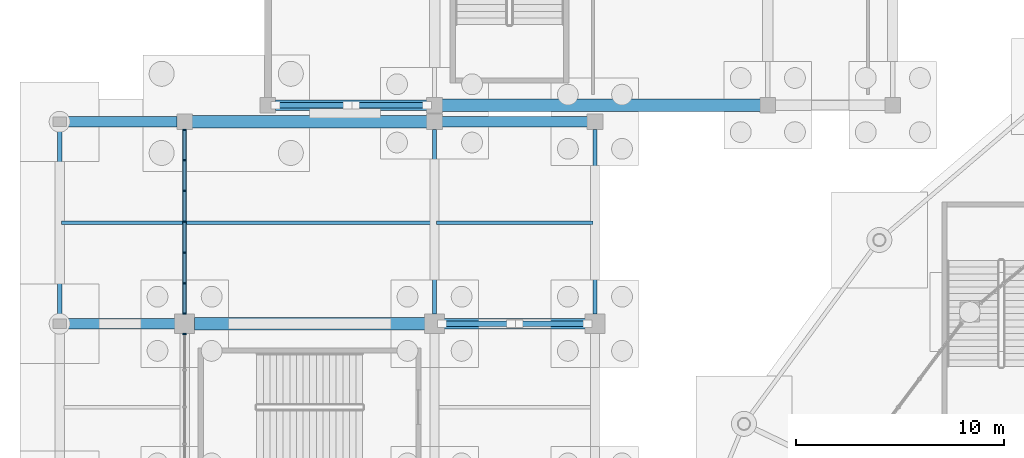
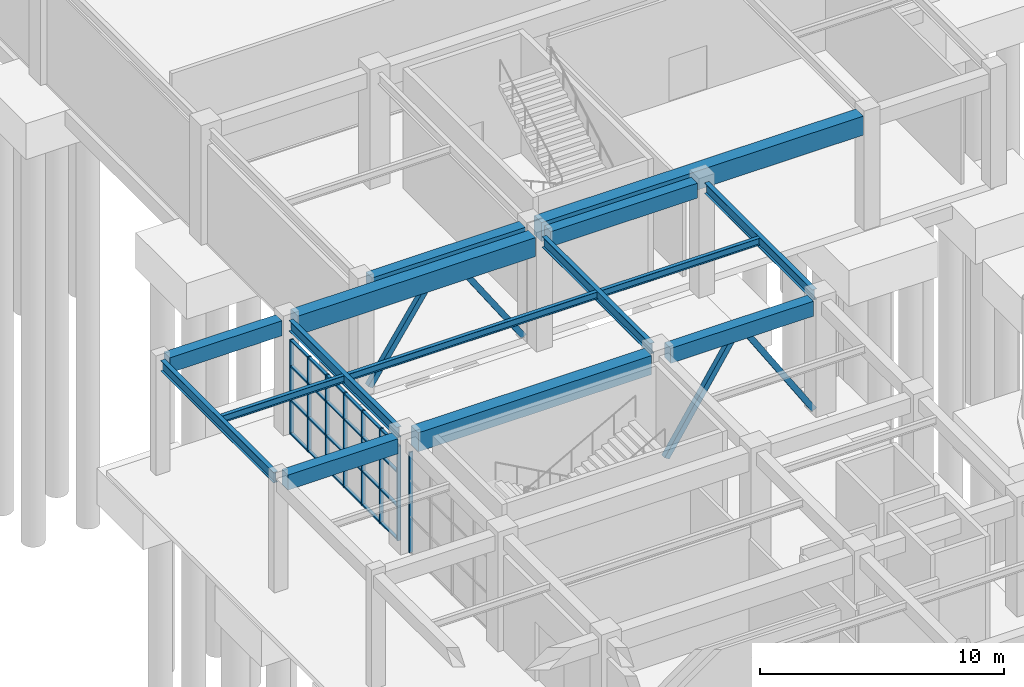
# One storey, part 41 of 121: 36 members, 15 beams, 2 elements without a shape of their own.
"""IFC4 building model written with IfcOpenShell, lengths in metres."""

from ifc_helpers import new_model, si_unit, direction, frame, origin, origin_2d, place, context, subcontext, project, spatial, rectangle, hollow_rectangle, i_section, extrude, material, material_profile, profile_set, type_object, element, aggregate, save


model = new_model("IFC4")

# Units and contexts
model_context = context("Model", 3, precision=1e-05, world=origin(), true_north=direction((0.0, 1.0)))
body_context = subcontext(model_context, "Body", "Model", "MODEL_VIEW")
ifc_project = project(units=[si_unit("LENGTHUNIT", "METRE"), si_unit("AREAUNIT", "SQUARE_METRE"), si_unit("VOLUMEUNIT", "CUBIC_METRE"), si_unit("PLANEANGLEUNIT", "RADIAN"), si_unit("MASSUNIT", "GRAM", prefix="KILO")], contexts=[model_context])

# Site, building, storey
site_placement = place(None, origin())
site = spatial("IfcSite", under=ifc_project, at=site_placement, CompositionType="ELEMENT")
building_placement = place(site_placement, origin())
building = spatial("IfcBuilding", under=site, at=building_placement, Name="Cuetzalor Civic Arena", CompositionType="ELEMENT")
storey_placement = place(building_placement, origin())
storey = spatial("IfcBuildingStorey", under=building, at=storey_placement, Name="L00", CompositionType="ELEMENT", Elevation=0.0)

# Beams
ifc_material_1 = material(Name="Concrete C40/50", Category="concrete")
ifc_material_profile_1 = material_profile(ifc_material_1, rectangle(XDim=0.5, YDim=0.75, at=origin_2d()), Name="RC 500x750")
ifc_profile_set_1 = profile_set([ifc_material_profile_1], Name="Concrete C40/50")
beam_type_1 = type_object("IfcBeamType", Name="ConcreteFrameBeam_500x750", PredefinedType="BEAM", material=ifc_profile_set_1)
beam_1_placement = place(storey_placement, frame((-81.68505859375, 25.0, 5.324951171875), z_axis=(1.0, 0.0, 0.0), x_axis=(0.0, 1.0, 0.0)))
element("IfcBeam", 1, at=beam_1_placement, inside=storey, type_object=beam_type_1, Name="Frame Girder V4W-L00-X0087", PredefinedType="BEAM", context=body_context, shape_type="SweptSolid", body=[
    extrude(rectangle(XDim=0.5, YDim=0.75, at=origin_2d()), origin(), (0.0, 0.0, 1.0), 5.219970703125),
])
beam_2_placement = place(storey_placement, frame((-63.534912109375, 25.0, 5.324951171875), z_axis=(1.0, 0.0, 0.0), x_axis=(0.0, 1.0, 0.0)))
element("IfcBeam", 2, at=beam_2_placement, inside=storey, type_object=beam_type_1, Name="Frame Girder V4W-L00-X0089", PredefinedType="BEAM", context=body_context, shape_type="SweptSolid", body=[
    extrude(rectangle(XDim=0.5, YDim=0.75, at=origin_2d()), origin(), (0.0, 0.0, 1.0), 6.77001953125),
])
beam_3_placement = place(storey_placement, frame((-81.68505859375, 34.699951171875, 5.324951171875), z_axis=(1.0, 0.0, 0.0), x_axis=(0.0, 1.0, 0.0)))
element("IfcBeam", 3, at=beam_3_placement, inside=storey, type_object=beam_type_1, Name="Frame Girder V4W-L00-X0090", PredefinedType="BEAM", context=body_context, shape_type="SweptSolid", body=[
    extrude(rectangle(XDim=0.5, YDim=0.75, at=origin_2d()), origin(), (0.0, 0.0, 1.0), 5.320068359375),
])
beam_4_placement = place(storey_placement, frame((-63.635009765625, 34.699951171875, 5.324951171875), z_axis=(1.0, 0.0, 0.0), x_axis=(0.0, 1.0, 0.0)))
element("IfcBeam", 4, at=beam_4_placement, inside=storey, type_object=beam_type_1, Name="Frame Girder V4W-L00-X0092", PredefinedType="BEAM", context=body_context, shape_type="SweptSolid", body=[
    extrude(rectangle(XDim=0.5, YDim=0.75, at=origin_2d()), origin(), (0.0, 0.0, 1.0), 6.969970703125),
])
beam_5_placement = place(storey_placement, frame((-71.635009765625, 35.5, 5.324951171875), z_axis=(1.0, 0.0, 0.0), x_axis=(0.0, 1.0, 0.0)))
element("IfcBeam", 5, at=beam_5_placement, inside=storey, type_object=beam_type_1, Name="Frame Girder V5-L00-X0213", PredefinedType="BEAM", context=body_context, shape_type="SweptSolid", body=[
    extrude(rectangle(XDim=0.5, YDim=0.75, at=origin_2d()), origin(), (0.0, 0.0, 1.0), 7.27001953125),
])
ifc_material_2 = material(Name="Concrete C40/50", Category="concrete")
ifc_material_profile_2 = material_profile(ifc_material_2, rectangle(XDim=0.60009765625, YDim=0.949951171875, at=origin_2d()), Name="RC 600x950")
ifc_profile_set_2 = profile_set([ifc_material_profile_2], Name="Concrete C40/50")
beam_type_2 = type_object("IfcBeamType", Name="ConcreteFrameBeam_600x950", PredefinedType="BEAM", material=ifc_profile_set_2)
beam_6_placement = place(storey_placement, frame((-75.534912109375, 25.0, 5.22509765625), z_axis=(1.0, 0.0, 0.0), x_axis=(0.0, 1.0, 0.0)))
element("IfcBeam", 6, at=beam_6_placement, inside=storey, type_object=beam_type_2, Name="Frame Girder V4W-L00-X0088", PredefinedType="BEAM", context=body_context, shape_type="SweptSolid", body=[
    extrude(rectangle(XDim=0.60009765625, YDim=0.949951171875, at=origin_2d()), origin(), (0.0, 0.0, 1.0), 11.06982421875),
])
beam_7_placement = place(storey_placement, frame((-75.635009765625, 34.699951171875, 5.22509765625), z_axis=(1.0, 0.0, 0.0), x_axis=(0.0, 1.0, 0.0)))
element("IfcBeam", 7, at=beam_7_placement, inside=storey, type_object=beam_type_2, Name="Frame Girder V4W-L00-X0091", PredefinedType="BEAM", context=body_context, shape_type="SweptSolid", body=[
    extrude(rectangle(XDim=0.60009765625, YDim=0.949951171875, at=origin_2d()), origin(), (0.0, 0.0, 1.0), 11.27001953125),
])
beam_8_placement = place(storey_placement, frame((-63.635009765625, 35.5, 5.22509765625), z_axis=(1.0, 0.0, 0.0), x_axis=(0.0, 1.0, 0.0)))
element("IfcBeam", 8, at=beam_8_placement, inside=storey, type_object=beam_type_2, Name="Frame Girder V5-L00-X0214", PredefinedType="BEAM", context=body_context, shape_type="SweptSolid", body=[
    extrude(rectangle(XDim=0.60009765625, YDim=0.949951171875, at=origin_2d()), origin(), (0.0, 0.0, 1.0), 15.27001953125),
])

# Curtain wall, member
ifc_material_3 = material(Name="Anodised dark bronze aluminium and low-E solar glass", Category="aluminium")
curtain_wall_type_1 = type_object("IfcCurtainWallType", Name="UnitisedCW_7100x5050", PredefinedType="USERDEFINED", material=ifc_material_3)
curtain_wall_1_placement = place(storey_placement, origin())
curtain_wall_1 = element("IfcCurtainWall", 9, at=curtain_wall_1_placement, inside=storey, type_object=curtain_wall_type_1, Name="V4W Colonnade Curtain Wall L00-106", ObjectType="UNITISED CURTAIN WALL", PredefinedType="USERDEFINED")
ifc_material_4 = material(Name="Anodised dark bronze aluminium", Category="aluminium")
ifc_material_profile_3 = material_profile(ifc_material_4, rectangle(XDim=0.070068359375, YDim=0.179931640625, at=origin_2d()), Name="ALU MULLION 70x180")
ifc_profile_set_3 = profile_set([ifc_material_profile_3], Name="Anodised dark bronze aluminium")
member_type_1 = type_object("IfcMemberType", Name="CurtainWallMullion_65x180", PredefinedType="MULLION", material=ifc_profile_set_3)
member_1_placement = place(storey_placement, frame((-76.0, 24.508056640625, 0.0), z_axis=(0.0, 0.0, 1.0), x_axis=(0.0, 1.0, 0.0)))
member_1 = element("IfcMember", 10, at=member_1_placement, type_object=member_type_1, Name="CW-34 mullion 5", PredefinedType="MULLION", context=body_context, shape_type="SweptSolid", body=[
    extrude(rectangle(XDim=0.070068359375, YDim=0.179931640625, at=origin_2d()), origin(), (0.0, 0.0, 1.0), 5.0400390625),
])
aggregate(curtain_wall_1, [member_1])

# Curtain wall, members
ifc_material_5 = material(Name="Anodised dark bronze aluminium and low-E solar glass", Category="aluminium")
curtain_wall_type_2 = type_object("IfcCurtainWallType", Name="UnitisedCW_8900x4750", PredefinedType="USERDEFINED", material=ifc_material_5)
curtain_wall_2_placement = place(storey_placement, origin())
curtain_wall_2 = element("IfcCurtainWall", 11, at=curtain_wall_2_placement, inside=storey, type_object=curtain_wall_type_2, Name="V4W Colonnade Curtain Wall L00-107", ObjectType="UNITISED CURTAIN WALL", PredefinedType="USERDEFINED")
member_2_placement = place(storey_placement, frame((-76.0, 25.491943359375, 0.0), z_axis=(0.0, 0.0, 1.0), x_axis=(0.0, 1.0, 0.0)))
member_2 = element("IfcMember", 12, at=member_2_placement, type_object=member_type_1, Name="CW-35 mullion 1", PredefinedType="MULLION", context=body_context, shape_type="SweptSolid", body=[
    extrude(rectangle(XDim=0.070068359375, YDim=0.179931640625, at=origin_2d()), origin(), (0.0, 0.0, 1.0), 4.739990234375),
])
member_3_placement = place(storey_placement, frame((-76.0, 26.93798828125, 0.0), z_axis=(0.0, 0.0, 1.0), x_axis=(0.0, 1.0, 0.0)))
member_3 = element("IfcMember", 13, at=member_3_placement, type_object=member_type_1, Name="CW-35 mullion 2", PredefinedType="MULLION", context=body_context, shape_type="SweptSolid", body=[
    extrude(rectangle(XDim=0.070068359375, YDim=0.179931640625, at=origin_2d()), origin(), (0.0, 0.0, 1.0), 4.739990234375),
])
member_4_placement = place(storey_placement, frame((-76.0, 28.4189453125, 0.0), z_axis=(0.0, 0.0, 1.0), x_axis=(0.0, 1.0, 0.0)))
member_4 = element("IfcMember", 14, at=member_4_placement, type_object=member_type_1, Name="CW-35 mullion 3", PredefinedType="MULLION", context=body_context, shape_type="SweptSolid", body=[
    extrude(rectangle(XDim=0.070068359375, YDim=0.179931640625, at=origin_2d()), origin(), (0.0, 0.0, 1.0), 4.739990234375),
])
member_5_placement = place(storey_placement, frame((-76.0, 29.89990234375, 0.0), z_axis=(0.0, 0.0, 1.0), x_axis=(0.0, 1.0, 0.0)))
member_5 = element("IfcMember", 15, at=member_5_placement, type_object=member_type_1, Name="CW-35 mullion 4", PredefinedType="MULLION", context=body_context, shape_type="SweptSolid", body=[
    extrude(rectangle(XDim=0.070068359375, YDim=0.179931640625, at=origin_2d()), origin(), (0.0, 0.0, 1.0), 4.739990234375),
])
member_6_placement = place(storey_placement, frame((-76.0, 31.381103515625, 0.0), z_axis=(0.0, 0.0, 1.0), x_axis=(0.0, 1.0, 0.0)))
member_6 = element("IfcMember", 16, at=member_6_placement, type_object=member_type_1, Name="CW-35 mullion 5", PredefinedType="MULLION", context=body_context, shape_type="SweptSolid", body=[
    extrude(rectangle(XDim=0.070068359375, YDim=0.179931640625, at=origin_2d()), origin(), (0.0, 0.0, 1.0), 4.739990234375),
])
member_7_placement = place(storey_placement, frame((-76.0, 32.862060546875, 0.0), z_axis=(0.0, 0.0, 1.0), x_axis=(0.0, 1.0, 0.0)))
member_7 = element("IfcMember", 17, at=member_7_placement, type_object=member_type_1, Name="CW-35 mullion 6", PredefinedType="MULLION", context=body_context, shape_type="SweptSolid", body=[
    extrude(rectangle(XDim=0.070068359375, YDim=0.179931640625, at=origin_2d()), origin(), (0.0, 0.0, 1.0), 4.739990234375),
])
member_8_placement = place(storey_placement, frame((-76.0, 34.30810546875, 0.0), z_axis=(0.0, 0.0, 1.0), x_axis=(0.0, 1.0, 0.0)))
member_8 = element("IfcMember", 18, at=member_8_placement, type_object=member_type_1, Name="CW-35 mullion 7", PredefinedType="MULLION", context=body_context, shape_type="SweptSolid", body=[
    extrude(rectangle(XDim=0.070068359375, YDim=0.179931640625, at=origin_2d()), origin(), (0.0, 0.0, 1.0), 4.739990234375),
])
ifc_material_6 = material(Name="Anodised dark bronze aluminium", Category="aluminium")
ifc_material_profile_4 = material_profile(ifc_material_6, rectangle(XDim=0.139892578125, YDim=0.070068359375, at=origin_2d()), Name="ALU TRANSOM 70x140")
ifc_profile_set_4 = profile_set([ifc_material_profile_4], Name="Anodised dark bronze aluminium")
member_type_2 = type_object("IfcMemberType", Name="CurtainWallTransom_65x140", PredefinedType="USERDEFINED", material=ifc_profile_set_4)
member_9_placement = place(storey_placement, frame((-76.0, 25.527099609375, 0.034912109375), z_axis=(0.0, 1.0, 0.0), x_axis=(-1.0, 0.0, 0.0)))
member_9 = element("IfcMember", 19, at=member_9_placement, type_object=member_type_2, Name="CW-35 transom 1.1", ObjectType="TRANSOM", PredefinedType="USERDEFINED", context=body_context, shape_type="SweptSolid", body=[
    extrude(rectangle(XDim=0.139892578125, YDim=0.070068359375, at=origin_2d()), origin(), (0.0, 0.0, 1.0), 1.3759765625),
])
member_10_placement = place(storey_placement, frame((-76.0, 25.527099609375, 1.7060546875), z_axis=(0.0, 1.0, 0.0), x_axis=(-1.0, 0.0, 0.0)))
member_10 = element("IfcMember", 20, at=member_10_placement, type_object=member_type_2, Name="CW-35 transom 1.2", ObjectType="TRANSOM", PredefinedType="USERDEFINED", context=body_context, shape_type="SweptSolid", body=[
    extrude(rectangle(XDim=0.139892578125, YDim=0.070068359375, at=origin_2d()), origin(), (0.0, 0.0, 1.0), 1.3759765625),
])
member_11_placement = place(storey_placement, frame((-76.0, 25.527099609375, 3.4130859375), z_axis=(0.0, 1.0, 0.0), x_axis=(-1.0, 0.0, 0.0)))
member_11 = element("IfcMember", 21, at=member_11_placement, type_object=member_type_2, Name="CW-35 transom 1.3", ObjectType="TRANSOM", PredefinedType="USERDEFINED", context=body_context, shape_type="SweptSolid", body=[
    extrude(rectangle(XDim=0.139892578125, YDim=0.070068359375, at=origin_2d()), origin(), (0.0, 0.0, 1.0), 1.3759765625),
])
member_12_placement = place(storey_placement, frame((-76.0, 25.527099609375, 4.705078125), z_axis=(0.0, 1.0, 0.0), x_axis=(-1.0, 0.0, 0.0)))
member_12 = element("IfcMember", 22, at=member_12_placement, type_object=member_type_2, Name="CW-35 transom 1.4", ObjectType="TRANSOM", PredefinedType="USERDEFINED", context=body_context, shape_type="SweptSolid", body=[
    extrude(rectangle(XDim=0.139892578125, YDim=0.070068359375, at=origin_2d()), origin(), (0.0, 0.0, 1.0), 1.3759765625),
])
member_13_placement = place(storey_placement, frame((-76.0, 26.972900390625, 0.034912109375), z_axis=(0.0, 1.0, 0.0), x_axis=(-1.0, 0.0, 0.0)))
member_13 = element("IfcMember", 23, at=member_13_placement, type_object=member_type_2, Name="CW-35 transom 2.1", ObjectType="TRANSOM", PredefinedType="USERDEFINED", context=body_context, shape_type="SweptSolid", body=[
    extrude(rectangle(XDim=0.139892578125, YDim=0.070068359375, at=origin_2d()), origin(), (0.0, 0.0, 1.0), 1.4111328125),
])
member_14_placement = place(storey_placement, frame((-76.0, 26.972900390625, 1.7060546875), z_axis=(0.0, 1.0, 0.0), x_axis=(-1.0, 0.0, 0.0)))
member_14 = element("IfcMember", 24, at=member_14_placement, type_object=member_type_2, Name="CW-35 transom 2.2", ObjectType="TRANSOM", PredefinedType="USERDEFINED", context=body_context, shape_type="SweptSolid", body=[
    extrude(rectangle(XDim=0.139892578125, YDim=0.070068359375, at=origin_2d()), origin(), (0.0, 0.0, 1.0), 1.4111328125),
])
member_15_placement = place(storey_placement, frame((-76.0, 26.972900390625, 3.4130859375), z_axis=(0.0, 1.0, 0.0), x_axis=(-1.0, 0.0, 0.0)))
member_15 = element("IfcMember", 25, at=member_15_placement, type_object=member_type_2, Name="CW-35 transom 2.3", ObjectType="TRANSOM", PredefinedType="USERDEFINED", context=body_context, shape_type="SweptSolid", body=[
    extrude(rectangle(XDim=0.139892578125, YDim=0.070068359375, at=origin_2d()), origin(), (0.0, 0.0, 1.0), 1.4111328125),
])
member_16_placement = place(storey_placement, frame((-76.0, 26.972900390625, 4.705078125), z_axis=(0.0, 1.0, 0.0), x_axis=(-1.0, 0.0, 0.0)))
member_16 = element("IfcMember", 26, at=member_16_placement, type_object=member_type_2, Name="CW-35 transom 2.4", ObjectType="TRANSOM", PredefinedType="USERDEFINED", context=body_context, shape_type="SweptSolid", body=[
    extrude(rectangle(XDim=0.139892578125, YDim=0.070068359375, at=origin_2d()), origin(), (0.0, 0.0, 1.0), 1.4111328125),
])
member_17_placement = place(storey_placement, frame((-76.0, 28.4541015625, 0.034912109375), z_axis=(0.0, 1.0, 0.0), x_axis=(-1.0, 0.0, 0.0)))
member_17 = element("IfcMember", 27, at=member_17_placement, type_object=member_type_2, Name="CW-35 transom 3.1", ObjectType="TRANSOM", PredefinedType="USERDEFINED", context=body_context, shape_type="SweptSolid", body=[
    extrude(rectangle(XDim=0.139892578125, YDim=0.070068359375, at=origin_2d()), origin(), (0.0, 0.0, 1.0), 1.410888671875),
])
member_18_placement = place(storey_placement, frame((-76.0, 28.4541015625, 1.7060546875), z_axis=(0.0, 1.0, 0.0), x_axis=(-1.0, 0.0, 0.0)))
member_18 = element("IfcMember", 28, at=member_18_placement, type_object=member_type_2, Name="CW-35 transom 3.2", ObjectType="TRANSOM", PredefinedType="USERDEFINED", context=body_context, shape_type="SweptSolid", body=[
    extrude(rectangle(XDim=0.139892578125, YDim=0.070068359375, at=origin_2d()), origin(), (0.0, 0.0, 1.0), 1.410888671875),
])
member_19_placement = place(storey_placement, frame((-76.0, 28.4541015625, 3.4130859375), z_axis=(0.0, 1.0, 0.0), x_axis=(-1.0, 0.0, 0.0)))
member_19 = element("IfcMember", 29, at=member_19_placement, type_object=member_type_2, Name="CW-35 transom 3.3", ObjectType="TRANSOM", PredefinedType="USERDEFINED", context=body_context, shape_type="SweptSolid", body=[
    extrude(rectangle(XDim=0.139892578125, YDim=0.070068359375, at=origin_2d()), origin(), (0.0, 0.0, 1.0), 1.410888671875),
])
member_20_placement = place(storey_placement, frame((-76.0, 28.4541015625, 4.705078125), z_axis=(0.0, 1.0, 0.0), x_axis=(-1.0, 0.0, 0.0)))
member_20 = element("IfcMember", 30, at=member_20_placement, type_object=member_type_2, Name="CW-35 transom 3.4", ObjectType="TRANSOM", PredefinedType="USERDEFINED", context=body_context, shape_type="SweptSolid", body=[
    extrude(rectangle(XDim=0.139892578125, YDim=0.070068359375, at=origin_2d()), origin(), (0.0, 0.0, 1.0), 1.410888671875),
])
member_21_placement = place(storey_placement, frame((-76.0, 29.93505859375, 0.034912109375), z_axis=(0.0, 1.0, 0.0), x_axis=(-1.0, 0.0, 0.0)))
member_21 = element("IfcMember", 31, at=member_21_placement, type_object=member_type_2, Name="CW-35 transom 4.1", ObjectType="TRANSOM", PredefinedType="USERDEFINED", context=body_context, shape_type="SweptSolid", body=[
    extrude(rectangle(XDim=0.139892578125, YDim=0.070068359375, at=origin_2d()), origin(), (0.0, 0.0, 1.0), 1.410888671875),
])
member_22_placement = place(storey_placement, frame((-76.0, 29.93505859375, 1.7060546875), z_axis=(0.0, 1.0, 0.0), x_axis=(-1.0, 0.0, 0.0)))
member_22 = element("IfcMember", 32, at=member_22_placement, type_object=member_type_2, Name="CW-35 transom 4.2", ObjectType="TRANSOM", PredefinedType="USERDEFINED", context=body_context, shape_type="SweptSolid", body=[
    extrude(rectangle(XDim=0.139892578125, YDim=0.070068359375, at=origin_2d()), origin(), (0.0, 0.0, 1.0), 1.410888671875),
])
member_23_placement = place(storey_placement, frame((-76.0, 29.93505859375, 3.4130859375), z_axis=(0.0, 1.0, 0.0), x_axis=(-1.0, 0.0, 0.0)))
member_23 = element("IfcMember", 33, at=member_23_placement, type_object=member_type_2, Name="CW-35 transom 4.3", ObjectType="TRANSOM", PredefinedType="USERDEFINED", context=body_context, shape_type="SweptSolid", body=[
    extrude(rectangle(XDim=0.139892578125, YDim=0.070068359375, at=origin_2d()), origin(), (0.0, 0.0, 1.0), 1.410888671875),
])
member_24_placement = place(storey_placement, frame((-76.0, 29.93505859375, 4.705078125), z_axis=(0.0, 1.0, 0.0), x_axis=(-1.0, 0.0, 0.0)))
member_24 = element("IfcMember", 34, at=member_24_placement, type_object=member_type_2, Name="CW-35 transom 4.4", ObjectType="TRANSOM", PredefinedType="USERDEFINED", context=body_context, shape_type="SweptSolid", body=[
    extrude(rectangle(XDim=0.139892578125, YDim=0.070068359375, at=origin_2d()), origin(), (0.0, 0.0, 1.0), 1.410888671875),
])
member_25_placement = place(storey_placement, frame((-76.0, 31.416015625, 0.034912109375), z_axis=(0.0, 1.0, 0.0), x_axis=(-1.0, 0.0, 0.0)))
member_25 = element("IfcMember", 35, at=member_25_placement, type_object=member_type_2, Name="CW-35 transom 5.1", ObjectType="TRANSOM", PredefinedType="USERDEFINED", context=body_context, shape_type="SweptSolid", body=[
    extrude(rectangle(XDim=0.139892578125, YDim=0.070068359375, at=origin_2d()), origin(), (0.0, 0.0, 1.0), 1.410888671875),
])
member_26_placement = place(storey_placement, frame((-76.0, 31.416015625, 1.7060546875), z_axis=(0.0, 1.0, 0.0), x_axis=(-1.0, 0.0, 0.0)))
member_26 = element("IfcMember", 36, at=member_26_placement, type_object=member_type_2, Name="CW-35 transom 5.2", ObjectType="TRANSOM", PredefinedType="USERDEFINED", context=body_context, shape_type="SweptSolid", body=[
    extrude(rectangle(XDim=0.139892578125, YDim=0.070068359375, at=origin_2d()), origin(), (0.0, 0.0, 1.0), 1.410888671875),
])
member_27_placement = place(storey_placement, frame((-76.0, 31.416015625, 3.4130859375), z_axis=(0.0, 1.0, 0.0), x_axis=(-1.0, 0.0, 0.0)))
member_27 = element("IfcMember", 37, at=member_27_placement, type_object=member_type_2, Name="CW-35 transom 5.3", ObjectType="TRANSOM", PredefinedType="USERDEFINED", context=body_context, shape_type="SweptSolid", body=[
    extrude(rectangle(XDim=0.139892578125, YDim=0.070068359375, at=origin_2d()), origin(), (0.0, 0.0, 1.0), 1.410888671875),
])
member_28_placement = place(storey_placement, frame((-76.0, 31.416015625, 4.705078125), z_axis=(0.0, 1.0, 0.0), x_axis=(-1.0, 0.0, 0.0)))
member_28 = element("IfcMember", 38, at=member_28_placement, type_object=member_type_2, Name="CW-35 transom 5.4", ObjectType="TRANSOM", PredefinedType="USERDEFINED", context=body_context, shape_type="SweptSolid", body=[
    extrude(rectangle(XDim=0.139892578125, YDim=0.070068359375, at=origin_2d()), origin(), (0.0, 0.0, 1.0), 1.410888671875),
])
member_29_placement = place(storey_placement, frame((-76.0, 32.89697265625, 0.034912109375), z_axis=(0.0, 1.0, 0.0), x_axis=(-1.0, 0.0, 0.0)))
member_29 = element("IfcMember", 39, at=member_29_placement, type_object=member_type_2, Name="CW-35 transom 6.1", ObjectType="TRANSOM", PredefinedType="USERDEFINED", context=body_context, shape_type="SweptSolid", body=[
    extrude(rectangle(XDim=0.139892578125, YDim=0.070068359375, at=origin_2d()), origin(), (0.0, 0.0, 1.0), 1.3759765625),
])
member_30_placement = place(storey_placement, frame((-76.0, 32.89697265625, 1.7060546875), z_axis=(0.0, 1.0, 0.0), x_axis=(-1.0, 0.0, 0.0)))
member_30 = element("IfcMember", 40, at=member_30_placement, type_object=member_type_2, Name="CW-35 transom 6.2", ObjectType="TRANSOM", PredefinedType="USERDEFINED", context=body_context, shape_type="SweptSolid", body=[
    extrude(rectangle(XDim=0.139892578125, YDim=0.070068359375, at=origin_2d()), origin(), (0.0, 0.0, 1.0), 1.3759765625),
])
member_31_placement = place(storey_placement, frame((-76.0, 32.89697265625, 3.4130859375), z_axis=(0.0, 1.0, 0.0), x_axis=(-1.0, 0.0, 0.0)))
member_31 = element("IfcMember", 41, at=member_31_placement, type_object=member_type_2, Name="CW-35 transom 6.3", ObjectType="TRANSOM", PredefinedType="USERDEFINED", context=body_context, shape_type="SweptSolid", body=[
    extrude(rectangle(XDim=0.139892578125, YDim=0.070068359375, at=origin_2d()), origin(), (0.0, 0.0, 1.0), 1.3759765625),
])
member_32_placement = place(storey_placement, frame((-76.0, 32.89697265625, 4.705078125), z_axis=(0.0, 1.0, 0.0), x_axis=(-1.0, 0.0, 0.0)))
member_32 = element("IfcMember", 42, at=member_32_placement, type_object=member_type_2, Name="CW-35 transom 6.4", ObjectType="TRANSOM", PredefinedType="USERDEFINED", context=body_context, shape_type="SweptSolid", body=[
    extrude(rectangle(XDim=0.139892578125, YDim=0.070068359375, at=origin_2d()), origin(), (0.0, 0.0, 1.0), 1.3759765625),
])
aggregate(curtain_wall_2, [member_2, member_3, member_4, member_5, member_6, member_7, member_8, member_9, member_10, member_11, member_12, member_13, member_14, member_15, member_16, member_17, member_18, member_19, member_20, member_21, member_22, member_23, member_24, member_25, member_26, member_27, member_28, member_29, member_30, member_31, member_32])

# Members
ifc_material_7 = material(Name="Steel S355", Category="steel")
ifc_material_profile_5 = material_profile(ifc_material_7, hollow_rectangle(XDim=0.260009765625, YDim=0.260009765625, WallThickness=0.012451171875, at=origin_2d()), Name="RHS 260x260x12.5")
ifc_profile_set_5 = profile_set([ifc_material_profile_5], Name="Steel S355")
member_type_3 = type_object("IfcMemberType", Name="LateralFrameBrace_RHS260", PredefinedType="BRACE", material=ifc_profile_set_5)
for number, where, z_axis, x_axis, name in (
    (43, (-71.639892578125, 35.5, 0.14990234375), (0.559153651336, 0.0, 0.829064047102), (0.0, 1.0, 0.0), "Lateral Chevron Brace V5-L00-001"),
    (44, (-64.360107421875, 35.5, 0.14990234375), (-0.559153651336, 0.0, 0.829064047102), (0.0, -1.0, 0.0), "Lateral Chevron Brace V5-L00-002"),
):
    element("IfcMember", number, at=place(storey_placement, frame(where, z_axis=z_axis, x_axis=x_axis)), inside=storey, type_object=member_type_3, Name=name, PredefinedType="BRACE", context=body_context, shape_type="SweptSolid", body=[
        extrude(hollow_rectangle(XDim=0.260009765625, YDim=0.260009765625, WallThickness=0.012451171875, at=origin_2d()), origin(), (0.0, 0.0, 1.0), 6.187744140625),
    ])
for number, where, z_axis, x_axis, name in (
    (45, (-63.639892578125, 25.0, 0.14990234375), (0.542133245744, 0.0, 0.840292534692), (0.0, 1.0, 0.0), "Lateral Chevron Brace V4W-L00-013"),
    (46, (-56.659912109375, 25.0, 0.14990234375), (-0.542161480844, 0.0, 0.840274317523), (0.0, -1.0, 0.0), "Lateral Chevron Brace V4W-L00-014"),
):
    element("IfcMember", number, at=place(storey_placement, frame(where, z_axis=z_axis, x_axis=x_axis)), inside=storey, type_object=member_type_3, Name=name, PredefinedType="BRACE", context=body_context, shape_type="SweptSolid", body=[
        extrude(hollow_rectangle(XDim=0.260009765625, YDim=0.260009765625, WallThickness=0.012451171875, at=origin_2d()), origin(), (0.0, 0.0, 1.0), 6.105224609375),
    ])

# Beams
ifc_material_8 = material(Name="Steel S355", Category="steel")
ifc_material_profile_6 = material_profile(ifc_material_8, i_section(OverallWidth=0.1708984375, OverallDepth=0.35498046875, WebThickness=0.007080078125, FlangeThickness=0.01171875, at=origin_2d()), Name="W360x51")
ifc_profile_set_6 = profile_set([ifc_material_profile_6], Name="Steel S355")
beam_type_3 = type_object("IfcBeamType", Name="SecondaryFloorJoist_W360", PredefinedType="JOIST", material=ifc_profile_set_6)
beam_9_placement = place(storey_placement, frame((-81.903564453125, 29.85009765625, 5.5224609375), z_axis=(1.0, 0.0, 0.0), x_axis=(0.0, 1.0, 0.0)))
element("IfcBeam", 47, at=beam_9_placement, inside=storey, type_object=beam_type_3, Name="Secondary Floor Joist V4W-L00-0024", PredefinedType="JOIST", context=body_context, shape_type="SweptSolid", body=[
    extrude(i_section(OverallWidth=0.1708984375, OverallDepth=0.35498046875, WebThickness=0.007080078125, FlangeThickness=0.01171875, at=origin_2d()), origin(), (0.0, 0.0, 1.0), 5.80712890625),
])
beam_10_placement = place(storey_placement, frame((-75.903564453125, 29.85009765625, 5.5224609375), z_axis=(1.0, 0.0, 0.0), x_axis=(0.0, 1.0, 0.0)))
element("IfcBeam", 48, at=beam_10_placement, inside=storey, type_object=beam_type_3, Name="Secondary Floor Joist V4W-L00-0031", PredefinedType="JOIST", context=body_context, shape_type="SweptSolid", body=[
    extrude(i_section(OverallWidth=0.1708984375, OverallDepth=0.35498046875, WebThickness=0.007080078125, FlangeThickness=0.01171875, at=origin_2d()), origin(), (0.0, 0.0, 1.0), 11.80712890625),
])
beam_11_placement = place(storey_placement, frame((-63.903564453125, 29.85009765625, 5.5224609375), z_axis=(1.0, 0.0, 0.0), x_axis=(0.0, 1.0, 0.0)))
element("IfcBeam", 49, at=beam_11_placement, inside=storey, type_object=beam_type_3, Name="Secondary Floor Joist V4W-L00-0040", PredefinedType="JOIST", context=body_context, shape_type="SweptSolid", body=[
    extrude(i_section(OverallWidth=0.1708984375, OverallDepth=0.35498046875, WebThickness=0.007080078125, FlangeThickness=0.01171875, at=origin_2d()), origin(), (0.0, 0.0, 1.0), 7.507080078125),
])
ifc_material_9 = material(Name="Steel S355", Category="steel")
ifc_material_profile_7 = material_profile(ifc_material_9, i_section(OverallWidth=0.208984375, OverallDepth=0.532958984375, WebThickness=0.01025390625, FlangeThickness=0.015625, at=origin_2d()), Name="W530x92")
ifc_profile_set_7 = profile_set([ifc_material_profile_7], Name="Steel S355")
beam_type_4 = type_object("IfcBeamType", Name="SteelCollarGirder_W530", PredefinedType="BEAM", material=ifc_profile_set_7)
beam_12_placement = place(storey_placement, frame((-82.0, 25.215087890625, 5.43359375), z_axis=(0.0, 1.0, 0.0), x_axis=(-1.0, 0.0, 0.0)))
element("IfcBeam", 50, at=beam_12_placement, inside=storey, type_object=beam_type_4, Name="Frame Girder V4W-L00-Y0102", PredefinedType="BEAM", context=body_context, shape_type="SweptSolid", body=[
    extrude(i_section(OverallWidth=0.208984375, OverallDepth=0.532958984375, WebThickness=0.01025390625, FlangeThickness=0.015625, at=origin_2d()), origin(), (0.0, 0.0, 1.0), 9.27001953125),
])
for number, where, z_axis, x_axis, name in (
    (51, (-76.0, 25.465087890625, 5.43359375), (0.0, 1.0, 0.0), (-1.0, 0.0, 0.0), "Frame Girder V4W-L00-Y0112"),
    (52, (-64.0, 25.465087890625, 5.43359375), (0.0, 1.0, 0.0), (-1.0, 0.0, 0.0), "Frame Girder V4W-L00-Y0122"),
    (53, (-56.300048828125, 25.465087890625, 5.43359375), (0.0, 1.0, 0.0), (-1.0, 0.0, 0.0), "Frame Girder V4W-L00-Y0132"),
):
    element("IfcBeam", number, at=place(storey_placement, frame(where, z_axis=z_axis, x_axis=x_axis)), inside=storey, type_object=beam_type_4, Name=name, PredefinedType="BEAM", context=body_context, shape_type="SweptSolid", body=[
        extrude(i_section(OverallWidth=0.208984375, OverallDepth=0.532958984375, WebThickness=0.01025390625, FlangeThickness=0.015625, at=origin_2d()), origin(), (0.0, 0.0, 1.0), 8.869873046875),
    ])

save(model, "model.ifc")
